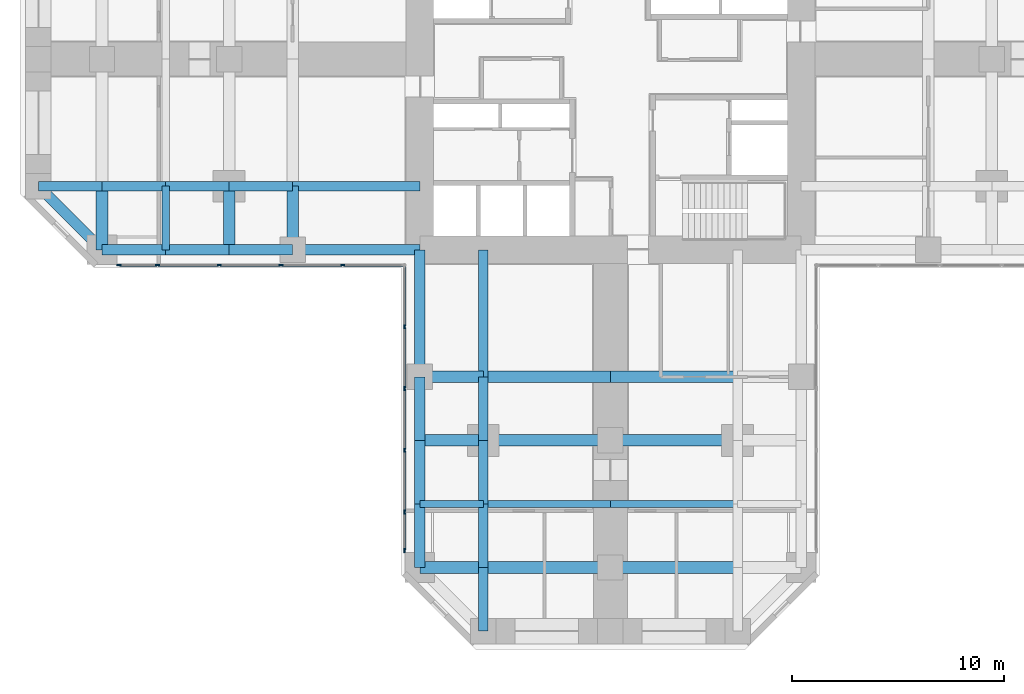
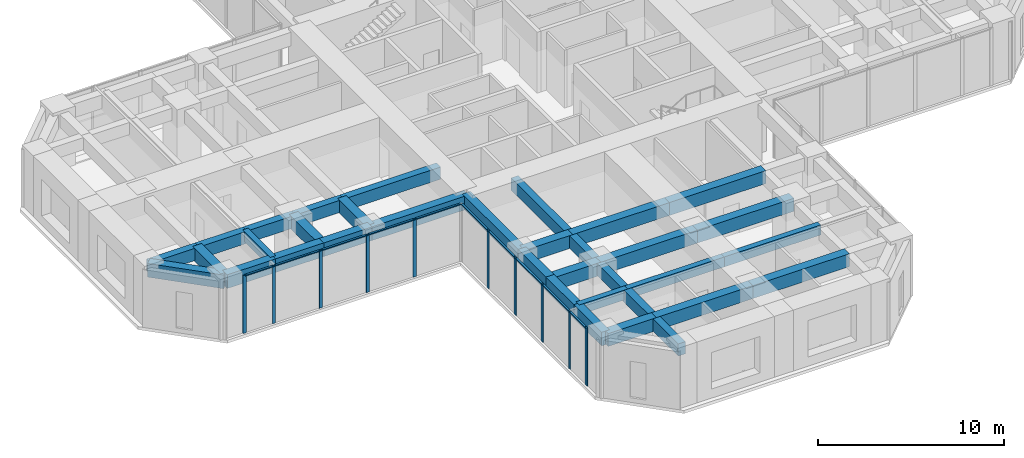
# One storey, part 2 of 13: 35 beams, 20 members, 2 elements without a shape of their own.
"""IFC4 building model written with IfcOpenShell, lengths in metres."""

from ifc_helpers import new_model, si_unit, direction, frame, origin, origin_2d, place, context, subcontext, project, spatial, rectangle, extrude, material, material_profile, profile_set, type_object, element, aggregate, save


model = new_model("IFC4")

# Units and contexts
model_context = context("Model", 3, precision=1e-05, world=origin(), true_north=direction((0.0, 1.0)))
body_context = subcontext(model_context, "Body", "Model", "MODEL_VIEW")
ifc_project = project(units=[si_unit("LENGTHUNIT", "METRE"), si_unit("AREAUNIT", "SQUARE_METRE"), si_unit("VOLUMEUNIT", "CUBIC_METRE"), si_unit("PLANEANGLEUNIT", "RADIAN"), si_unit("MASSUNIT", "GRAM", prefix="KILO")], contexts=[model_context])

# Site, building, storey
site_placement = place(None, origin())
site = spatial("IfcSite", under=ifc_project, at=site_placement, CompositionType="ELEMENT")
building_placement = place(site_placement, origin())
building = spatial("IfcBuilding", under=site, at=building_placement, Name="Torre Cruceta", CompositionType="ELEMENT")
storey_placement = place(building_placement, frame((0.0, 0.0, 23.5)))
storey = spatial("IfcBuildingStorey", under=building, at=storey_placement, Name="L05", CompositionType="ELEMENT", Elevation=23.5)

# Beams
ifc_material_1 = material(Name="Concrete G60 (fck 60 MPa)", Category="concrete")
ifc_material_profile_1 = material_profile(ifc_material_1, rectangle(XDim=0.449951171875, YDim=0.800048828125, at=origin_2d()), Name="RC 450X800")
ifc_profile_set_1 = profile_set([ifc_material_profile_1], Name="Concrete G60 (fck 60 MPa)")
beam_type_1 = type_object("IfcBeamType", Name="COLUMN LINE BEAM RC 450X800", PredefinedType="BEAM", material=ifc_profile_set_1)
beam_1_placement = place(storey_placement, frame((-6.0, -9.0, 3.39990234375), z_axis=(0.0, -1.0, 0.0), x_axis=(1.0, 0.0, 0.0)))
element("IfcBeam", 1, at=beam_1_placement, inside=storey, type_object=beam_type_1, Name="LB1 L05 S col- 1", PredefinedType="BEAM", context=body_context, shape_type="SweptSolid", body=[
    extrude(rectangle(XDim=0.449951171875, YDim=0.800048828125, at=origin_2d()), origin(), (0.0, 0.0, 1.0), 6.0),
])
for number, where, z_axis, x_axis, name in (
    (2, (-6.0, -15.0, 3.39990234375), (0.0, -1.0, 0.0), (1.0, 0.0, 0.0), "LB1 L05 S col- 2"),
    (3, (-6.0, -18.0, 3.39990234375), (0.0, -1.0, 0.0), (1.0, 0.0, 0.0), "LB1 L05 S col- 3"),
    (4, (-6.0, -21.0, 3.39990234375), (0.0, -1.0, 0.0), (1.0, 0.0, 0.0), "LB1 L05 S col- 4"),
    (5, (-6.0, -24.0, 3.39990234375), (0.0, -1.0, 0.0), (1.0, 0.0, 0.0), "LB1 L05 S col- 5"),
):
    element("IfcBeam", number, at=place(storey_placement, frame(where, z_axis=z_axis, x_axis=x_axis)), inside=storey, type_object=beam_type_1, Name=name, PredefinedType="BEAM", context=body_context, shape_type="SweptSolid", body=[
        extrude(rectangle(XDim=0.449951171875, YDim=0.800048828125, at=origin_2d()), origin(), (0.0, 0.0, 1.0), 3.0),
    ])
beam_2_placement = place(storey_placement, frame((-9.0, -6.0, 3.39990234375), z_axis=(-1.0, 0.0, 0.0), x_axis=(0.0, -1.0, 0.0)))
element("IfcBeam", 6, at=beam_2_placement, inside=storey, type_object=beam_type_1, Name="LB1 L05 W col+ 1", PredefinedType="BEAM", context=body_context, shape_type="SweptSolid", body=[
    extrude(rectangle(XDim=0.449951171875, YDim=0.800048828125, at=origin_2d()), origin(), (0.0, 0.0, 1.0), 6.0),
])
for number, where, z_axis, x_axis, name in (
    (7, (-15.0, -6.0, 3.39990234375), (-1.0, 0.0, 0.0), (0.0, -1.0, 0.0), "LB1 L05 W col+ 2"),
    (8, (-18.0, -6.0, 3.39990234375), (-1.0, 0.0, 0.0), (0.0, -1.0, 0.0), "LB1 L05 W col+ 3"),
    (9, (-21.0, -6.0, 3.39990234375), (-1.0, 0.0, 0.0), (0.0, -1.0, 0.0), "LB1 L05 W col+ 4"),
    (10, (-24.0, -6.0, 3.39990234375), (-1.0, 0.0, 0.0), (0.0, -1.0, 0.0), "LB1 L05 W col+ 5"),
):
    element("IfcBeam", number, at=place(storey_placement, frame(where, z_axis=z_axis, x_axis=x_axis)), inside=storey, type_object=beam_type_1, Name=name, PredefinedType="BEAM", context=body_context, shape_type="SweptSolid", body=[
        extrude(rectangle(XDim=0.449951171875, YDim=0.800048828125, at=origin_2d()), origin(), (0.0, 0.0, 1.0), 3.0),
    ])
ifc_material_2 = material(Name="Concrete G60 (fck 60 MPa)", Category="concrete")
ifc_material_profile_2 = material_profile(ifc_material_2, rectangle(XDim=0.550048828125, YDim=0.85009765625, at=origin_2d()), Name="RC 550X850")
ifc_profile_set_2 = profile_set([ifc_material_profile_2], Name="Concrete G60 (fck 60 MPa)")
beam_type_2 = type_object("IfcBeamType", Name="CROSS BEAM RC 550X850", PredefinedType="BEAM", material=ifc_profile_set_2)
beam_3_placement = place(storey_placement, frame((-9.0, -15.0, 3.375), z_axis=(1.0, 0.0, 0.0), x_axis=(0.0, 1.0, 0.0)))
element("IfcBeam", 11, at=beam_3_placement, inside=storey, type_object=beam_type_2, Name="GB4 L05 S cross15 1", PredefinedType="BEAM", context=body_context, shape_type="SweptSolid", body=[
    extrude(rectangle(XDim=0.550048828125, YDim=0.85009765625, at=origin_2d()), origin(), (0.0, 0.0, 1.0), 3.0),
])
for number, where, z_axis, x_axis, name in (
    (12, (-6.0, -15.0, 3.375), (1.0, 0.0, 0.0), (0.0, 1.0, 0.0), "GB4 L05 S cross15 2"),
    (13, (0.0, -15.0, 3.375), (1.0, 0.0, 0.0), (0.0, 1.0, 0.0), "GB4 L05 S cross15 3"),
):
    element("IfcBeam", number, at=place(storey_placement, frame(where, z_axis=z_axis, x_axis=x_axis)), inside=storey, type_object=beam_type_2, Name=name, PredefinedType="BEAM", context=body_context, shape_type="SweptSolid", body=[
        extrude(rectangle(XDim=0.550048828125, YDim=0.85009765625, at=origin_2d()), origin(), (0.0, 0.0, 1.0), 6.0),
    ])
beam_4_placement = place(storey_placement, frame((-9.0, -18.0, 3.375), z_axis=(1.0, 0.0, 0.0), x_axis=(0.0, 1.0, 0.0)))
element("IfcBeam", 14, at=beam_4_placement, inside=storey, type_object=beam_type_2, Name="GB4 L05 S cross18 1", PredefinedType="BEAM", context=body_context, shape_type="SweptSolid", body=[
    extrude(rectangle(XDim=0.550048828125, YDim=0.85009765625, at=origin_2d()), origin(), (0.0, 0.0, 1.0), 3.0),
])
for number, where, z_axis, x_axis, name in (
    (15, (-6.0, -18.0, 3.375), (1.0, 0.0, 0.0), (0.0, 1.0, 0.0), "GB4 L05 S cross18 2"),
    (16, (0.0, -18.0, 3.375), (1.0, 0.0, 0.0), (0.0, 1.0, 0.0), "GB4 L05 S cross18 3"),
):
    element("IfcBeam", number, at=place(storey_placement, frame(where, z_axis=z_axis, x_axis=x_axis)), inside=storey, type_object=beam_type_2, Name=name, PredefinedType="BEAM", context=body_context, shape_type="SweptSolid", body=[
        extrude(rectangle(XDim=0.550048828125, YDim=0.85009765625, at=origin_2d()), origin(), (0.0, 0.0, 1.0), 6.0),
    ])
beam_5_placement = place(storey_placement, frame((-9.0, -24.0, 3.375), z_axis=(1.0, 0.0, 0.0), x_axis=(0.0, 1.0, 0.0)))
element("IfcBeam", 17, at=beam_5_placement, inside=storey, type_object=beam_type_2, Name="GB4 L05 S cross24 1", PredefinedType="BEAM", context=body_context, shape_type="SweptSolid", body=[
    extrude(rectangle(XDim=0.550048828125, YDim=0.85009765625, at=origin_2d()), origin(), (0.0, 0.0, 1.0), 3.0),
])
for number, where, z_axis, x_axis, name in (
    (18, (-6.0, -24.0, 3.375), (1.0, 0.0, 0.0), (0.0, 1.0, 0.0), "GB4 L05 S cross24 2"),
    (19, (0.0, -24.0, 3.375), (1.0, 0.0, 0.0), (0.0, 1.0, 0.0), "GB4 L05 S cross24 3"),
):
    element("IfcBeam", number, at=place(storey_placement, frame(where, z_axis=z_axis, x_axis=x_axis)), inside=storey, type_object=beam_type_2, Name=name, PredefinedType="BEAM", context=body_context, shape_type="SweptSolid", body=[
        extrude(rectangle(XDim=0.550048828125, YDim=0.85009765625, at=origin_2d()), origin(), (0.0, 0.0, 1.0), 6.0),
    ])
for number, where, z_axis, x_axis, name in (
    (20, (-15.0, -6.0, 3.375), (0.0, -1.0, 0.0), (1.0, 0.0, 0.0), "GB4 L05 W cross15 4"),
    (21, (-18.0, -6.0, 3.375), (0.0, -1.0, 0.0), (1.0, 0.0, 0.0), "GB4 L05 W cross18 4"),
    (22, (-24.0, -6.0, 3.375), (0.0, -1.0, 0.0), (1.0, 0.0, 0.0), "GB4 L05 W cross24 4"),
):
    element("IfcBeam", number, at=place(storey_placement, frame(where, z_axis=z_axis, x_axis=x_axis)), inside=storey, type_object=beam_type_2, Name=name, PredefinedType="BEAM", context=body_context, shape_type="SweptSolid", body=[
        extrude(rectangle(XDim=0.550048828125, YDim=0.85009765625, at=origin_2d()), origin(), (0.0, 0.0, 1.0), 3.0),
    ])

# Curtain wall, members
ifc_material_3 = material(Name="Aluminium unitised curtain wall", Category="aluminium")
curtain_wall_type = type_object("IfcCurtainWallType", Name="CURTAIN WALL CW-A OFFICE LOW RISE", PredefinedType="USERDEFINED", material=ifc_material_3)
curtain_wall_1_placement = place(storey_placement, origin())
curtain_wall_1 = element("IfcCurtainWall", 23, at=curtain_wall_1_placement, inside=storey, type_object=curtain_wall_type, Name="CW-A L05 W side 14", ObjectType="UNITISED", PredefinedType="USERDEFINED")
ifc_material_4 = material(Name="Aluminium mullion", Category="aluminium")
ifc_material_profile_3 = material_profile(ifc_material_4, rectangle(XDim=0.06494140625, YDim=0.199951171875, at=origin_2d()), Name="AL 65X200")
ifc_profile_set_3 = profile_set([ifc_material_profile_3], Name="Aluminium mullion")
member_type_1 = type_object("IfcMemberType", Name="CW-A MULLION 65X200", PredefinedType="MULLION", material=ifc_profile_set_3)
member_1_placement = place(storey_placement, frame((-23.198974609375, -9.719970703125, 0.0), z_axis=(0.0, 0.0, 1.0), x_axis=(0.0, 1.0, 0.0)))
member_1 = element("IfcMember", 24, at=member_1_placement, type_object=member_type_1, Name="CW-A mullion 1", PredefinedType="MULLION", context=body_context, shape_type="SweptSolid", body=[
    extrude(rectangle(XDim=0.06494140625, YDim=0.199951171875, at=origin_2d()), origin(), (0.0, 0.0, 1.0), 3.800048828125),
])
member_2_placement = place(storey_placement, frame((-21.382568359375, -9.719970703125, 0.0), z_axis=(0.0, 0.0, 1.0), x_axis=(0.0, 1.0, 0.0)))
member_2 = element("IfcMember", 25, at=member_2_placement, type_object=member_type_1, Name="CW-A mullion 2", PredefinedType="MULLION", context=body_context, shape_type="SweptSolid", body=[
    extrude(rectangle(XDim=0.06494140625, YDim=0.199951171875, at=origin_2d()), origin(), (0.0, 0.0, 1.0), 3.800048828125),
])
member_3_placement = place(storey_placement, frame((-18.467041015625, -9.719970703125, 0.0), z_axis=(0.0, 0.0, 1.0), x_axis=(0.0, 1.0, 0.0)))
member_3 = element("IfcMember", 26, at=member_3_placement, type_object=member_type_1, Name="CW-A mullion 3", PredefinedType="MULLION", context=body_context, shape_type="SweptSolid", body=[
    extrude(rectangle(XDim=0.06494140625, YDim=0.199951171875, at=origin_2d()), origin(), (0.0, 0.0, 1.0), 3.800048828125),
])
member_4_placement = place(storey_placement, frame((-15.55126953125, -9.719970703125, 0.0), z_axis=(0.0, 0.0, 1.0), x_axis=(0.0, 1.0, 0.0)))
member_4 = element("IfcMember", 27, at=member_4_placement, type_object=member_type_1, Name="CW-A mullion 4", PredefinedType="MULLION", context=body_context, shape_type="SweptSolid", body=[
    extrude(rectangle(XDim=0.06494140625, YDim=0.199951171875, at=origin_2d()), origin(), (0.0, 0.0, 1.0), 3.800048828125),
])
member_5_placement = place(storey_placement, frame((-12.6357421875, -9.719970703125, 0.0), z_axis=(0.0, 0.0, 1.0), x_axis=(0.0, 1.0, 0.0)))
member_5 = element("IfcMember", 28, at=member_5_placement, type_object=member_type_1, Name="CW-A mullion 5", PredefinedType="MULLION", context=body_context, shape_type="SweptSolid", body=[
    extrude(rectangle(XDim=0.06494140625, YDim=0.199951171875, at=origin_2d()), origin(), (0.0, 0.0, 1.0), 3.800048828125),
])

curtain_wall_2_placement = place(storey_placement, origin())
curtain_wall_2 = element("IfcCurtainWall", 29, at=curtain_wall_2_placement, inside=storey, type_object=curtain_wall_type, Name="CW-A L05 S side 15", ObjectType="UNITISED", PredefinedType="USERDEFINED")
member_6_placement = place(storey_placement, frame((-9.719970703125, -12.6357421875, 0.0), z_axis=(0.0, 0.0, 1.0), x_axis=(1.0, 0.0, 0.0)))
member_6 = element("IfcMember", 30, at=member_6_placement, type_object=member_type_1, Name="CW-A mullion 2", PredefinedType="MULLION", context=body_context, shape_type="SweptSolid", body=[
    extrude(rectangle(XDim=0.06494140625, YDim=0.199951171875, at=origin_2d()), origin(), (0.0, 0.0, 1.0), 3.800048828125),
])
member_7_placement = place(storey_placement, frame((-9.719970703125, -15.55126953125, 0.0), z_axis=(0.0, 0.0, 1.0), x_axis=(1.0, 0.0, 0.0)))
member_7 = element("IfcMember", 31, at=member_7_placement, type_object=member_type_1, Name="CW-A mullion 3", PredefinedType="MULLION", context=body_context, shape_type="SweptSolid", body=[
    extrude(rectangle(XDim=0.06494140625, YDim=0.199951171875, at=origin_2d()), origin(), (0.0, 0.0, 1.0), 3.800048828125),
])
member_8_placement = place(storey_placement, frame((-9.719970703125, -18.467041015625, 0.0), z_axis=(0.0, 0.0, 1.0), x_axis=(1.0, 0.0, 0.0)))
member_8 = element("IfcMember", 32, at=member_8_placement, type_object=member_type_1, Name="CW-A mullion 4", PredefinedType="MULLION", context=body_context, shape_type="SweptSolid", body=[
    extrude(rectangle(XDim=0.06494140625, YDim=0.199951171875, at=origin_2d()), origin(), (0.0, 0.0, 1.0), 3.800048828125),
])
member_9_placement = place(storey_placement, frame((-9.719970703125, -21.382568359375, 0.0), z_axis=(0.0, 0.0, 1.0), x_axis=(1.0, 0.0, 0.0)))
member_9 = element("IfcMember", 33, at=member_9_placement, type_object=member_type_1, Name="CW-A mullion 5", PredefinedType="MULLION", context=body_context, shape_type="SweptSolid", body=[
    extrude(rectangle(XDim=0.06494140625, YDim=0.199951171875, at=origin_2d()), origin(), (0.0, 0.0, 1.0), 3.800048828125),
])
member_10_placement = place(storey_placement, frame((-9.719970703125, -23.198974609375, 0.0), z_axis=(0.0, 0.0, 1.0), x_axis=(1.0, 0.0, 0.0)))
member_10 = element("IfcMember", 34, at=member_10_placement, type_object=member_type_1, Name="CW-A mullion 6", PredefinedType="MULLION", context=body_context, shape_type="SweptSolid", body=[
    extrude(rectangle(XDim=0.06494140625, YDim=0.199951171875, at=origin_2d()), origin(), (0.0, 0.0, 1.0), 3.800048828125),
])

# Member
ifc_material_5 = material(Name="Aluminium transom", Category="aluminium")
ifc_material_profile_4 = material_profile(ifc_material_5, rectangle(XDim=0.1201171875, YDim=0.06494140625, at=origin_2d()), Name="AL 120X65")
ifc_profile_set_4 = profile_set([ifc_material_profile_4], Name="Aluminium transom")
member_type_2 = type_object("IfcMemberType", Name="CW-A TRANSOM 65X120", PredefinedType="USERDEFINED", material=ifc_profile_set_4)
member_11_placement = place(storey_placement, frame((-23.16650390625, -9.719970703125, 3.767578125), z_axis=(1.0, 0.0, 0.0), x_axis=(0.0, 1.0, 0.0)))
member_11 = element("IfcMember", 35, at=member_11_placement, type_object=member_type_2, Name="CW-A transom 1", ObjectType="TRANSOM", PredefinedType="USERDEFINED", context=body_context, shape_type="SweptSolid", body=[
    extrude(rectangle(XDim=0.1201171875, YDim=0.06494140625, at=origin_2d()), origin(), (0.0, 0.0, 1.0), 1.75146484375),
])

member_12_placement = place(storey_placement, frame((-21.35009765625, -9.719970703125, 3.767578125), z_axis=(1.0, 0.0, 0.0), x_axis=(0.0, 1.0, 0.0)))
member_12 = element("IfcMember", 36, at=member_12_placement, type_object=member_type_2, Name="CW-A transom 2", ObjectType="TRANSOM", PredefinedType="USERDEFINED", context=body_context, shape_type="SweptSolid", body=[
    extrude(rectangle(XDim=0.1201171875, YDim=0.06494140625, at=origin_2d()), origin(), (0.0, 0.0, 1.0), 2.8505859375),
])

member_13_placement = place(storey_placement, frame((-18.434326171875, -9.719970703125, 3.767578125), z_axis=(1.0, 0.0, 0.0), x_axis=(0.0, 1.0, 0.0)))
member_13 = element("IfcMember", 37, at=member_13_placement, type_object=member_type_2, Name="CW-A transom 3", ObjectType="TRANSOM", PredefinedType="USERDEFINED", context=body_context, shape_type="SweptSolid", body=[
    extrude(rectangle(XDim=0.1201171875, YDim=0.06494140625, at=origin_2d()), origin(), (0.0, 0.0, 1.0), 2.8505859375),
])

member_14_placement = place(storey_placement, frame((-15.518798828125, -9.719970703125, 3.767578125), z_axis=(1.0, 0.0, 0.0), x_axis=(0.0, 1.0, 0.0)))
member_14 = element("IfcMember", 38, at=member_14_placement, type_object=member_type_2, Name="CW-A transom 4", ObjectType="TRANSOM", PredefinedType="USERDEFINED", context=body_context, shape_type="SweptSolid", body=[
    extrude(rectangle(XDim=0.1201171875, YDim=0.06494140625, at=origin_2d()), origin(), (0.0, 0.0, 1.0), 2.8505859375),
])

member_15_placement = place(storey_placement, frame((-12.60302734375, -9.719970703125, 3.767578125), z_axis=(1.0, 0.0, 0.0), x_axis=(0.0, 1.0, 0.0)))
member_15 = element("IfcMember", 39, at=member_15_placement, type_object=member_type_2, Name="CW-A transom 5", ObjectType="TRANSOM", PredefinedType="USERDEFINED", context=body_context, shape_type="SweptSolid", body=[
    extrude(rectangle(XDim=0.1201171875, YDim=0.06494140625, at=origin_2d()), origin(), (0.0, 0.0, 1.0), 2.818115234375),
])

aggregate(curtain_wall_1, [member_1, member_2, member_3, member_4, member_5, member_11, member_12, member_13, member_14, member_15])

member_16_placement = place(storey_placement, frame((-9.719970703125, -9.784912109375, 3.767578125), z_axis=(0.0, -1.0, 0.0), x_axis=(1.0, 0.0, 0.0)))
member_16 = element("IfcMember", 40, at=member_16_placement, type_object=member_type_2, Name="CW-A transom 1", ObjectType="TRANSOM", PredefinedType="USERDEFINED", context=body_context, shape_type="SweptSolid", body=[
    extrude(rectangle(XDim=0.1201171875, YDim=0.06494140625, at=origin_2d()), origin(), (0.0, 0.0, 1.0), 2.818115234375),
])

member_17_placement = place(storey_placement, frame((-9.719970703125, -12.668212890625, 3.767578125), z_axis=(0.0, -1.0, 0.0), x_axis=(1.0, 0.0, 0.0)))
member_17 = element("IfcMember", 41, at=member_17_placement, type_object=member_type_2, Name="CW-A transom 2", ObjectType="TRANSOM", PredefinedType="USERDEFINED", context=body_context, shape_type="SweptSolid", body=[
    extrude(rectangle(XDim=0.1201171875, YDim=0.06494140625, at=origin_2d()), origin(), (0.0, 0.0, 1.0), 2.8505859375),
])

member_18_placement = place(storey_placement, frame((-9.719970703125, -15.583740234375, 3.767578125), z_axis=(0.0, -1.0, 0.0), x_axis=(1.0, 0.0, 0.0)))
member_18 = element("IfcMember", 42, at=member_18_placement, type_object=member_type_2, Name="CW-A transom 3", ObjectType="TRANSOM", PredefinedType="USERDEFINED", context=body_context, shape_type="SweptSolid", body=[
    extrude(rectangle(XDim=0.1201171875, YDim=0.06494140625, at=origin_2d()), origin(), (0.0, 0.0, 1.0), 2.8505859375),
])

member_19_placement = place(storey_placement, frame((-9.719970703125, -18.49951171875, 3.767578125), z_axis=(0.0, -1.0, 0.0), x_axis=(1.0, 0.0, 0.0)))
member_19 = element("IfcMember", 43, at=member_19_placement, type_object=member_type_2, Name="CW-A transom 4", ObjectType="TRANSOM", PredefinedType="USERDEFINED", context=body_context, shape_type="SweptSolid", body=[
    extrude(rectangle(XDim=0.1201171875, YDim=0.06494140625, at=origin_2d()), origin(), (0.0, 0.0, 1.0), 2.8505859375),
])

member_20_placement = place(storey_placement, frame((-9.719970703125, -21.4150390625, 3.767578125), z_axis=(0.0, -1.0, 0.0), x_axis=(1.0, 0.0, 0.0)))
member_20 = element("IfcMember", 44, at=member_20_placement, type_object=member_type_2, Name="CW-A transom 5", ObjectType="TRANSOM", PredefinedType="USERDEFINED", context=body_context, shape_type="SweptSolid", body=[
    extrude(rectangle(XDim=0.1201171875, YDim=0.06494140625, at=origin_2d()), origin(), (0.0, 0.0, 1.0), 1.75146484375),
])

aggregate(curtain_wall_2, [member_6, member_7, member_8, member_9, member_10, member_16, member_17, member_18, member_19, member_20])

# Beams
ifc_material_6 = material(Name="Concrete G60 (fck 60 MPa)", Category="concrete")
ifc_material_profile_5 = material_profile(ifc_material_6, rectangle(XDim=0.35009765625, YDim=0.64990234375, at=origin_2d()), Name="RC 350X650")
ifc_profile_set_5 = profile_set([ifc_material_profile_5], Name="Concrete G60 (fck 60 MPa)")
beam_type_3 = type_object("IfcBeamType", Name="SECONDARY BEAM RC 350X650", PredefinedType="JOIST", material=ifc_profile_set_5)
beam_6_placement = place(storey_placement, frame((-9.0, -21.0, 3.47509765625), z_axis=(1.0, 0.0, 0.0), x_axis=(0.0, 1.0, 0.0)))
element("IfcBeam", 45, at=beam_6_placement, inside=storey, type_object=beam_type_3, Name="JB3 L05 S sec21 1", PredefinedType="JOIST", context=body_context, shape_type="SweptSolid", body=[
    extrude(rectangle(XDim=0.35009765625, YDim=0.64990234375, at=origin_2d()), origin(), (0.0, 0.0, 1.0), 3.0),
])
for number, where, z_axis, x_axis, name in (
    (46, (-6.0, -21.0, 3.47509765625), (1.0, 0.0, 0.0), (0.0, 1.0, 0.0), "JB3 L05 S sec21 2"),
    (47, (0.0, -21.0, 3.47509765625), (1.0, 0.0, 0.0), (0.0, 1.0, 0.0), "JB3 L05 S sec21 3"),
):
    element("IfcBeam", number, at=place(storey_placement, frame(where, z_axis=z_axis, x_axis=x_axis)), inside=storey, type_object=beam_type_3, Name=name, PredefinedType="JOIST", context=body_context, shape_type="SweptSolid", body=[
        extrude(rectangle(XDim=0.35009765625, YDim=0.64990234375, at=origin_2d()), origin(), (0.0, 0.0, 1.0), 6.0),
    ])
beam_7_placement = place(storey_placement, frame((-21.0, -6.0, 3.47509765625), z_axis=(0.0, -1.0, 0.0), x_axis=(1.0, 0.0, 0.0)))
element("IfcBeam", 48, at=beam_7_placement, inside=storey, type_object=beam_type_3, Name="JB3 L05 W sec21 4", PredefinedType="JOIST", context=body_context, shape_type="SweptSolid", body=[
    extrude(rectangle(XDim=0.35009765625, YDim=0.64990234375, at=origin_2d()), origin(), (0.0, 0.0, 1.0), 3.0),
])
ifc_material_7 = material(Name="Concrete G60 (fck 60 MPa)", Category="concrete")
ifc_material_profile_6 = material_profile(ifc_material_7, rectangle(XDim=0.5, YDim=0.89990234375, at=origin_2d()), Name="RC 500X900")
ifc_profile_set_6 = profile_set([ifc_material_profile_6], Name="Concrete G60 (fck 60 MPa)")
beam_type_4 = type_object("IfcBeamType", Name="SPANDREL BEAM RC 500X900", PredefinedType="SPANDREL", material=ifc_profile_set_6)
beam_8_placement = place(storey_placement, frame((-9.0, -9.0, 3.35009765625), z_axis=(0.0, -1.0, 0.0), x_axis=(1.0, 0.0, 0.0)))
element("IfcBeam", 49, at=beam_8_placement, inside=storey, type_object=beam_type_4, Name="SB4 L05 S side- 1", PredefinedType="SPANDREL", context=body_context, shape_type="SweptSolid", body=[
    extrude(rectangle(XDim=0.5, YDim=0.89990234375, at=origin_2d()), origin(), (0.0, 0.0, 1.0), 6.0),
])
for number, where, z_axis, x_axis, name in (
    (50, (-9.0, -15.0, 3.35009765625), (0.0, -1.0, 0.0), (1.0, 0.0, 0.0), "SB4 L05 S side- 2"),
    (51, (-9.0, -18.0, 3.35009765625), (0.0, -1.0, 0.0), (1.0, 0.0, 0.0), "SB4 L05 S side- 3"),
    (52, (-9.0, -21.0, 3.35009765625), (0.0, -1.0, 0.0), (1.0, 0.0, 0.0), "SB4 L05 S side- 4"),
):
    element("IfcBeam", number, at=place(storey_placement, frame(where, z_axis=z_axis, x_axis=x_axis)), inside=storey, type_object=beam_type_4, Name=name, PredefinedType="SPANDREL", context=body_context, shape_type="SweptSolid", body=[
        extrude(rectangle(XDim=0.5, YDim=0.89990234375, at=origin_2d()), origin(), (0.0, 0.0, 1.0), 3.0),
    ])
beam_9_placement = place(storey_placement, frame((-9.0, -9.0, 3.35009765625), z_axis=(-1.0, 0.0, 0.0), x_axis=(0.0, -1.0, 0.0)))
element("IfcBeam", 53, at=beam_9_placement, inside=storey, type_object=beam_type_4, Name="SB4 L05 W side+ 1", PredefinedType="SPANDREL", context=body_context, shape_type="SweptSolid", body=[
    extrude(rectangle(XDim=0.5, YDim=0.89990234375, at=origin_2d()), origin(), (0.0, 0.0, 1.0), 6.0),
])
for number, where, z_axis, x_axis, name in (
    (54, (-15.0, -9.0, 3.35009765625), (-1.0, 0.0, 0.0), (0.0, -1.0, 0.0), "SB4 L05 W side+ 2"),
    (55, (-18.0, -9.0, 3.35009765625), (-1.0, 0.0, 0.0), (0.0, -1.0, 0.0), "SB4 L05 W side+ 3"),
    (56, (-21.0, -9.0, 3.35009765625), (-1.0, 0.0, 0.0), (0.0, -1.0, 0.0), "SB4 L05 W side+ 4"),
):
    element("IfcBeam", number, at=place(storey_placement, frame(where, z_axis=z_axis, x_axis=x_axis)), inside=storey, type_object=beam_type_4, Name=name, PredefinedType="SPANDREL", context=body_context, shape_type="SweptSolid", body=[
        extrude(rectangle(XDim=0.5, YDim=0.89990234375, at=origin_2d()), origin(), (0.0, 0.0, 1.0), 3.0),
    ])
beam_10_placement = place(storey_placement, frame((-24.0, -9.0, 3.35009765625), z_axis=(-0.707106781187, 0.707106781187, 0.0), x_axis=(-0.707106781187, -0.707106781187, 0.0)))
element("IfcBeam", 57, at=beam_10_placement, inside=storey, type_object=beam_type_4, Name="SB4 L05 W side+ 5", PredefinedType="SPANDREL", context=body_context, shape_type="SweptSolid", body=[
    extrude(rectangle(XDim=0.5, YDim=0.89990234375, at=origin_2d()), origin(), (0.0, 0.0, 1.0), 4.24267578125),
])

save(model, "model.ifc")
